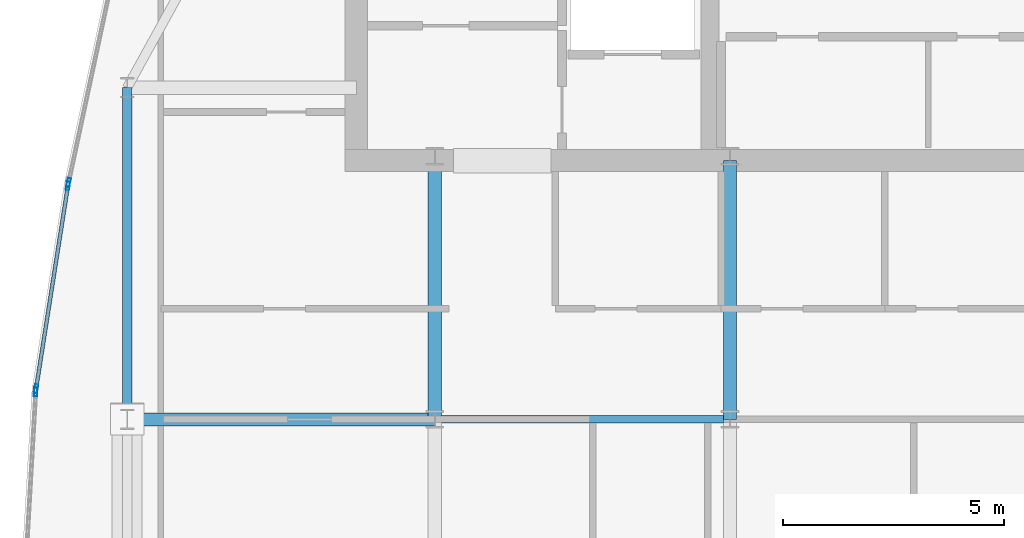
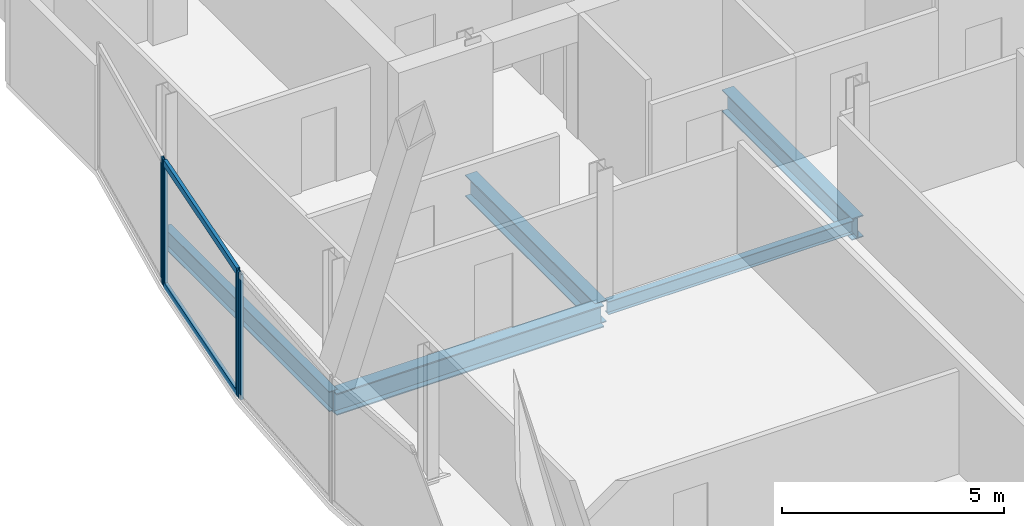
# One storey, part 11 of 29: 6 members, 5 beams, 3 elements without a shape of their own.
"""IFC4 building model written with IfcOpenShell, lengths in metres."""

from ifc_helpers import new_model, si_unit, direction, frame, origin, origin_2d, place, context, subcontext, project, spatial, hollow_rectangle, i_section, extrude, material, material_profile, profile_set, type_object, element, aggregate, save


model = new_model("IFC4")

# Units and contexts
model_context = context("Model", 3, precision=1e-05, world=origin(), true_north=direction((0.0, 1.0)))
body_context = subcontext(model_context, "Body", "Model", "MODEL_VIEW")
ifc_project = project(units=[si_unit("LENGTHUNIT", "METRE"), si_unit("AREAUNIT", "SQUARE_METRE"), si_unit("VOLUMEUNIT", "CUBIC_METRE"), si_unit("PLANEANGLEUNIT", "RADIAN"), si_unit("MASSUNIT", "GRAM", prefix="KILO")], contexts=[model_context])

# Site, building, storey
site_placement = place(None, origin())
site = spatial("IfcSite", under=ifc_project, at=site_placement, CompositionType="ELEMENT")
building_placement = place(site_placement, origin())
building = spatial("IfcBuilding", under=site, at=building_placement, Name="Khoronbel Lancet Exchange", CompositionType="ELEMENT")
storey_placement = place(building_placement, frame((0.0, 0.0, 314.60009765625)))
storey = spatial("IfcBuildingStorey", under=building, at=storey_placement, Name="L81", CompositionType="ELEMENT", Elevation=314.60009765625)

# Beams
ifc_material_1 = material(Name="Steel S355", Category="steel")
ifc_material_profile_1 = material_profile(ifc_material_1, i_section(OverallWidth=0.300048828125, OverallDepth=0.60009765625, WebThickness=0.015380859375, FlangeThickness=0.030029296875, at=origin_2d()), Name="HEB 600")
ifc_profile_set_1 = profile_set([ifc_material_profile_1], Name="Steel S355")
beam_type_1 = type_object("IfcBeamType", Name="BM-BG5", PredefinedType="BEAM", material=ifc_profile_set_1)
for number, where, z_axis, x_axis, name in (
    (1, (18.22509765625, 35.699951171875, -0.460205078125), (0.0, 1.0, 0.0), (-1.0, 0.0, 0.0), "Level L81 spine tie girder GN1"),
    (2, (24.89990234375, 35.699951171875, -0.460205078125), (0.0, 1.0, 0.0), (-1.0, 0.0, 0.0), "Level L81 spine tie girder GN2"),
):
    element("IfcBeam", number, at=place(storey_placement, frame(where, z_axis=z_axis, x_axis=x_axis)), inside=storey, type_object=beam_type_1, Name=name, PredefinedType="BEAM", context=body_context, shape_type="SweptSolid", body=[
        extrude(i_section(OverallWidth=0.300048828125, OverallDepth=0.60009765625, WebThickness=0.015380859375, FlangeThickness=0.030029296875, at=origin_2d()), origin(), (0.0, 0.0, 1.0), 5.85009765625),
    ])
beam_1_placement = place(storey_placement, frame((11.27001953125, 35.699951171875, -0.460205078125), z_axis=(1.0, 0.0, 0.0), x_axis=(0.0, 1.0, 0.0)))
element("IfcBeam", 3, at=beam_1_placement, inside=storey, type_object=beam_type_1, Name="Level L81 west lens tie girder LG4W", PredefinedType="BEAM", context=body_context, shape_type="SweptSolid", body=[
    extrude(i_section(OverallWidth=0.300048828125, OverallDepth=0.60009765625, WebThickness=0.015380859375, FlangeThickness=0.030029296875, at=origin_2d()), origin(), (0.0, 0.0, 1.0), 6.955078125),
])
ifc_material_profile_2 = material_profile(ifc_material_1, i_section(OverallWidth=0.169921875, OverallDepth=0.360107421875, WebThickness=0.008056640625, FlangeThickness=0.0126953125, at=origin_2d()), Name="IPE 360")
ifc_profile_set_2 = profile_set([ifc_material_profile_2], Name="Steel S355")
beam_type_2 = type_object("IfcBeamType", Name="BM-BJ6", PredefinedType="JOIST", material=ifc_profile_set_2)
beam_2_placement = place(storey_placement, frame((18.375, 35.699951171875, -0.340087890625), z_axis=(1.0, 0.0, 0.0), x_axis=(0.0, 1.0, 0.0)))
element("IfcBeam", 4, at=beam_2_placement, inside=storey, type_object=beam_type_2, Name="Level L81 secondary composite joist J10", PredefinedType="JOIST", context=body_context, shape_type="SweptSolid", body=[
    extrude(i_section(OverallWidth=0.169921875, OverallDepth=0.360107421875, WebThickness=0.008056640625, FlangeThickness=0.0126953125, at=origin_2d()), origin(), (0.0, 0.0, 1.0), 6.375),
])
ifc_material_profile_3 = material_profile(ifc_material_1, i_section(OverallWidth=0.2099609375, OverallDepth=0.550048828125, WebThickness=0.010986328125, FlangeThickness=0.01708984375, at=origin_2d()), Name="IPE 550")
ifc_profile_set_3 = profile_set([ifc_material_profile_3], Name="Steel S355")
beam_type_3 = type_object("IfcBeamType", Name="BM-BSP3", PredefinedType="SPANDREL", material=ifc_profile_set_3)
beam_3_placement = place(storey_placement, frame((11.27001953125, 43.199951171875, -0.43505859375), z_axis=(0.0, -1.0, 0.0), x_axis=(1.0, 0.0, 0.0)))
element("IfcBeam", 5, at=beam_3_placement, inside=storey, type_object=beam_type_3, Name="Level L81 perimeter spandrel beam SP14", PredefinedType="SPANDREL", context=body_context, shape_type="SweptSolid", body=[
    extrude(i_section(OverallWidth=0.2099609375, OverallDepth=0.550048828125, WebThickness=0.010986328125, FlangeThickness=0.01708984375, at=origin_2d()), origin(), (0.0, 0.0, 1.0), 7.5),
])

# Curtain wall, member
ifc_material_2 = material(Name="Low-E Solar Control Insulating Glass", Category="glass")
curtain_wall_type = type_object("IfcCurtainWallType", Name="CW-4", PredefinedType="NOTDEFINED", material=ifc_material_2)
curtain_wall_1_placement = place(storey_placement, origin())
curtain_wall_1 = element("IfcCurtainWall", 6, at=curtain_wall_1_placement, inside=storey, type_object=curtain_wall_type, Name="Unitised curtain wall CW-L81-E07", PredefinedType="NOTDEFINED")
ifc_material_3 = material(Name="Bronze-Anodised Aluminium 6063-T6", Category="aluminium")
ifc_material_profile_4 = material_profile(ifc_material_3, hollow_rectangle(XDim=0.074951171875, YDim=0.199951171875, WallThickness=0.0048828125, at=origin_2d()), Name="ALU MULLION 75x200")
ifc_profile_set_4 = profile_set([ifc_material_profile_4], Name="Bronze-Anodised Aluminium 6063-T6")
member_type_1 = type_object("IfcMemberType", Name="MEM-CWM2", PredefinedType="MULLION", material=ifc_profile_set_4)
member_1_placement = place(storey_placement, frame((9.203125, 36.319580078125, 0.0), z_axis=(0.0, 0.0, 1.0), x_axis=(-0.998350757179, 0.057408759259, 0.0)))
member_1 = element("IfcMember", 7, at=member_1_placement, type_object=member_type_1, Name="CW4 mullion 2", PredefinedType="MULLION", context=body_context, shape_type="SweptSolid", body=[
    extrude(hollow_rectangle(XDim=0.074951171875, YDim=0.199951171875, WallThickness=0.0048828125, at=origin_2d()), origin(), (0.0, 0.0, 1.0), 3.43994140625),
])
aggregate(curtain_wall_1, [member_1])

# Curtain wall, members
curtain_wall_2_placement = place(storey_placement, origin())
curtain_wall_2 = element("IfcCurtainWall", 8, at=curtain_wall_2_placement, inside=storey, type_object=curtain_wall_type, Name="Unitised curtain wall CW-L81-E08", PredefinedType="NOTDEFINED")
member_2_placement = place(storey_placement, frame((9.211181640625, 36.39404296875, 0.0), z_axis=(0.0, 0.0, 1.0), x_axis=(-0.987888641158, 0.155164534193, 0.0)))
member_2 = element("IfcMember", 9, at=member_2_placement, type_object=member_type_1, Name="CW4 mullion 1", PredefinedType="MULLION", context=body_context, shape_type="SweptSolid", body=[
    extrude(hollow_rectangle(XDim=0.074951171875, YDim=0.199951171875, WallThickness=0.0048828125, at=origin_2d()), origin(), (0.0, 0.0, 1.0), 3.43994140625),
])
member_3_placement = place(storey_placement, frame((9.931396484375, 40.979736328125, 0.0), z_axis=(0.0, 0.0, 1.0), x_axis=(-0.987888641158, 0.155164534193, 0.0)))
member_3 = element("IfcMember", 10, at=member_3_placement, type_object=member_type_1, Name="CW4 mullion 2", PredefinedType="MULLION", context=body_context, shape_type="SweptSolid", body=[
    extrude(hollow_rectangle(XDim=0.074951171875, YDim=0.199951171875, WallThickness=0.0048828125, at=origin_2d()), origin(), (0.0, 0.0, 1.0), 3.43994140625),
])

# Curtain wall, member
curtain_wall_3_placement = place(storey_placement, origin())
curtain_wall_3 = element("IfcCurtainWall", 11, at=curtain_wall_3_placement, inside=storey, type_object=curtain_wall_type, Name="Unitised curtain wall CW-L81-E09", PredefinedType="NOTDEFINED")
member_4_placement = place(storey_placement, frame((9.945068359375, 41.053466796875, 0.0), z_axis=(0.0, 0.0, 1.0), x_axis=(-0.977746046147, 0.209791966588, 0.0)))
member_4 = element("IfcMember", 12, at=member_4_placement, type_object=member_type_1, Name="CW4 mullion 1", PredefinedType="MULLION", context=body_context, shape_type="SweptSolid", body=[
    extrude(hollow_rectangle(XDim=0.074951171875, YDim=0.199951171875, WallThickness=0.0048828125, at=origin_2d()), origin(), (0.0, 0.0, 1.0), 3.43994140625),
])
aggregate(curtain_wall_3, [member_4])

# Member
ifc_material_profile_5 = material_profile(ifc_material_3, hollow_rectangle(XDim=0.0849609375, YDim=0.179931640625, WallThickness=0.0048828125, at=origin_2d()), Name="ALU TRANSOM 85x180")
ifc_profile_set_5 = profile_set([ifc_material_profile_5], Name="Bronze-Anodised Aluminium 6063-T6")
member_type_2 = type_object("IfcMemberType", Name="MEM-CWT1", PredefinedType="USERDEFINED", material=ifc_profile_set_5)
member_5_placement = place(storey_placement, frame((9.217041015625, 36.43115234375, 0.04248046875), z_axis=(0.155133494762, 0.987893515923, 0.0), x_axis=(-0.987893515923, 0.155133494762, 0.0)))
member_5 = element("IfcMember", 13, at=member_5_placement, type_object=member_type_2, Name="CW4 transom 1.1", ObjectType="TRANSOM", PredefinedType="USERDEFINED", context=body_context, shape_type="SweptSolid", body=[
    extrude(hollow_rectangle(XDim=0.0849609375, YDim=0.179931640625, WallThickness=0.0048828125, at=origin_2d()), origin(), (0.0, 0.0, 1.0), 4.56689453125),
])

member_6_placement = place(storey_placement, frame((9.217041015625, 36.43115234375, 3.3974609375), z_axis=(0.155133494762, 0.987893515923, 0.0), x_axis=(-0.987893515923, 0.155133494762, 0.0)))
member_6 = element("IfcMember", 14, at=member_6_placement, type_object=member_type_2, Name="CW4 transom 1.2", ObjectType="TRANSOM", PredefinedType="USERDEFINED", context=body_context, shape_type="SweptSolid", body=[
    extrude(hollow_rectangle(XDim=0.0849609375, YDim=0.179931640625, WallThickness=0.0048828125, at=origin_2d()), origin(), (0.0, 0.0, 1.0), 4.56689453125),
])

aggregate(curtain_wall_2, [member_2, member_3, member_5, member_6])

save(model, "model.ifc")
